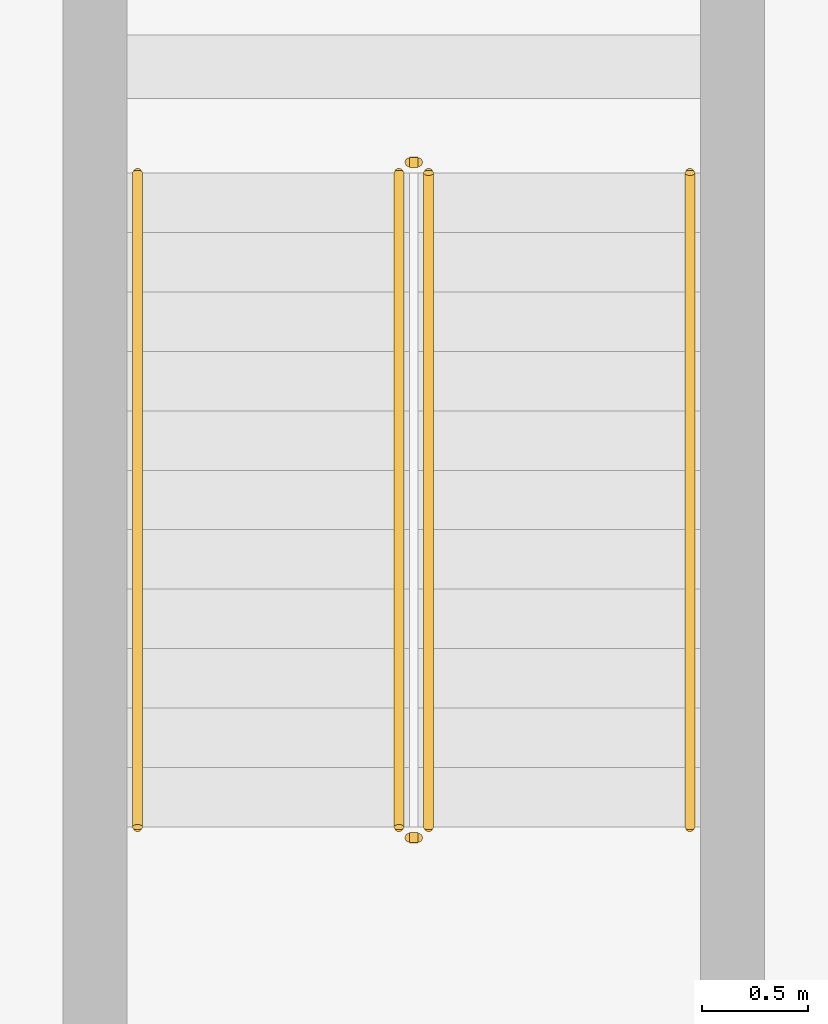
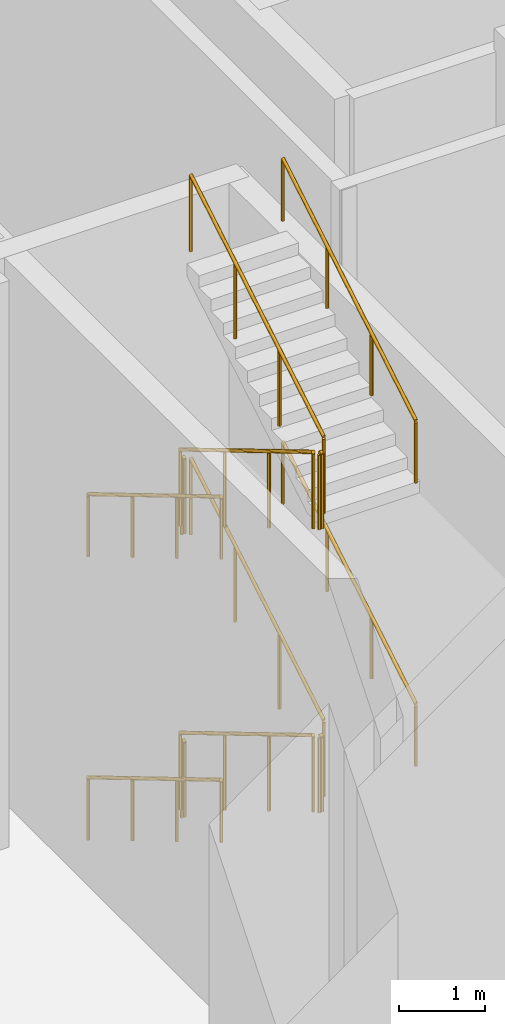
# One storey, part 48 of 54: 12 railings.
"""IFC4 building model written with IfcOpenShell, lengths in metres."""

from ifc_helpers import new_model, si_unit, direction, frame, origin, origin_2d, place, context, subcontext, project, spatial, circle, extrude, material, type_object, element, save


model = new_model("IFC4")

# Units and contexts
model_context = context("Model", 3, precision=1e-05, world=origin(), true_north=direction((0.0, 1.0)))
body_context = subcontext(model_context, "Body", "Model", "MODEL_VIEW")
ifc_project = project(units=[si_unit("LENGTHUNIT", "METRE"), si_unit("AREAUNIT", "SQUARE_METRE"), si_unit("VOLUMEUNIT", "CUBIC_METRE"), si_unit("PLANEANGLEUNIT", "RADIAN"), si_unit("MASSUNIT", "GRAM", prefix="KILO")], contexts=[model_context])

# Site, building, storey
site_placement = place(None, origin())
site = spatial("IfcSite", under=ifc_project, at=site_placement, CompositionType="ELEMENT")
building_placement = place(site_placement, origin())
building = spatial("IfcBuilding", under=site, at=building_placement, Name="Ogive Portal Towers", CompositionType="ELEMENT")
storey_placement = place(building_placement, origin())
storey = spatial("IfcBuildingStorey", under=building, at=storey_placement, Name="L00", CompositionType="ELEMENT", Elevation=0.0)

# Railings
ifc_material_1 = material(Name="Stainless steel balustrade", Category="steel")
railing_type_1 = type_object("IfcRailingType", Name="INT-GUARD", PredefinedType="GUARDRAIL", material=ifc_material_1)
railing_1_placement = place(storey_placement, frame((88.280029296875, 29.169921875, 0.166748046875)))
element("IfcRailing", 1, at=railing_1_placement, inside=storey, type_object=railing_type_1, Name="L00 ST-A4 stair guard 1", PredefinedType="GUARDRAIL", context=body_context, shape_type="SweptSolid", body=[
    extrude(circle(Radius=0.02392578125, at=origin_2d()), frame((0.0, 0.0, 1.076171875), z_axis=(0.0, -0.859290745958, 0.51148745235), x_axis=(1.0, 0.0, 0.0)), (0.0, 0.0, 1.0), 3.584228515625),
    extrude(circle(Radius=0.02099609375, at=origin_2d()), origin(), (0.0, 0.0, 1.0), 1.052001953125),
    extrude(circle(Radius=0.02099609375, at=origin_2d()), frame((0.0, -1.026611328125, 0.611083984375)), (0.0, 0.0, 1.0), 1.052001953125),
    extrude(circle(Radius=0.02099609375, at=origin_2d()), frame((0.0, -2.05322265625, 1.22216796875)), (0.0, 0.0, 1.0), 1.052001953125),
    extrude(circle(Radius=0.02099609375, at=origin_2d()), frame((0.0, -3.079833984375, 1.833251953125)), (0.0, 0.0, 1.0), 1.052001953125),
])
railing_2_placement = place(storey_placement, frame((88.330078125, 26.0400390625, 2.0)))
element("IfcRailing", 2, at=railing_2_placement, inside=storey, type_object=railing_type_1, Name="L00 ST-A4 stair guard 2", PredefinedType="GUARDRAIL", context=body_context, shape_type="SweptSolid", body=[
    extrude(circle(Radius=0.02392578125, at=origin_2d()), frame((0.0, 0.0, 1.076171875), z_axis=(1.0, 0.0, 0.0), x_axis=(0.0, 1.0, 0.0)), (0.0, 0.0, 1.0), 0.0400390625),
    extrude(circle(Radius=0.02099609375, at=origin_2d()), origin(), (0.0, 0.0, 1.0), 1.052001953125),
    extrude(circle(Radius=0.02099609375, at=origin_2d()), frame((0.0400390625, 0.0, 0.0)), (0.0, 0.0, 1.0), 1.052001953125),
])
railing_3_placement = place(storey_placement, frame((88.419921875, 26.090087890625, 2.166748046875)))
element("IfcRailing", 3, at=railing_3_placement, inside=storey, type_object=railing_type_1, Name="L00 ST-A4 stair guard 3", PredefinedType="GUARDRAIL", context=body_context, shape_type="SweptSolid", body=[
    extrude(circle(Radius=0.02392578125, at=origin_2d()), frame((0.0, 0.0, 1.076171875), z_axis=(0.0, 0.859290745958, 0.51148745235), x_axis=(-1.0, 0.0, 0.0)), (0.0, 0.0, 1.0), 3.584228515625),
    extrude(circle(Radius=0.02099609375, at=origin_2d()), origin(), (0.0, 0.0, 1.0), 1.052001953125),
    extrude(circle(Radius=0.02099609375, at=origin_2d()), frame((0.0, 1.026611328125, 0.611083984375)), (0.0, 0.0, 1.0), 1.052001953125),
    extrude(circle(Radius=0.02099609375, at=origin_2d()), frame((0.0, 2.05322265625, 1.22216796875)), (0.0, 0.0, 1.0), 1.052001953125),
    extrude(circle(Radius=0.02099609375, at=origin_2d()), frame((0.0, 3.079833984375, 1.833251953125)), (0.0, 0.0, 1.0), 1.052001953125),
])
railing_4_placement = place(storey_placement, frame((88.330078125, 29.219970703125, 4.0)))
element("IfcRailing", 4, at=railing_4_placement, inside=storey, type_object=railing_type_1, Name="L00 ST-A4 stair guard 4", PredefinedType="GUARDRAIL", context=body_context, shape_type="SweptSolid", body=[
    extrude(circle(Radius=0.02392578125, at=origin_2d()), frame((0.0, 0.0, 1.076171875), z_axis=(1.0, 0.0, 0.0), x_axis=(0.0, 1.0, 0.0)), (0.0, 0.0, 1.0), 0.0400390625),
    extrude(circle(Radius=0.02099609375, at=origin_2d()), origin(), (0.0, 0.0, 1.0), 1.052001953125),
    extrude(circle(Radius=0.02099609375, at=origin_2d()), frame((0.0400390625, 0.0, 0.0)), (0.0, 0.0, 1.0), 1.052001953125),
])
railing_5_placement = place(storey_placement, frame((88.280029296875, 29.169921875, 4.166748046875)))
element("IfcRailing", 5, at=railing_5_placement, inside=storey, type_object=railing_type_1, Name="L00 ST-A4 stair guard 5", PredefinedType="GUARDRAIL", context=body_context, shape_type="SweptSolid", body=[
    extrude(circle(Radius=0.02392578125, at=origin_2d()), frame((0.0, 0.0, 1.076171875), z_axis=(0.0, -0.859290745958, 0.51148745235), x_axis=(1.0, 0.0, 0.0)), (0.0, 0.0, 1.0), 3.584228515625),
    extrude(circle(Radius=0.02099609375, at=origin_2d()), origin(), (0.0, 0.0, 1.0), 1.052001953125),
    extrude(circle(Radius=0.02099609375, at=origin_2d()), frame((0.0, -1.026611328125, 0.611083984375)), (0.0, 0.0, 1.0), 1.052001953125),
    extrude(circle(Radius=0.02099609375, at=origin_2d()), frame((0.0, -2.05322265625, 1.22216796875)), (0.0, 0.0, 1.0), 1.052001953125),
    extrude(circle(Radius=0.02099609375, at=origin_2d()), frame((0.0, -3.079833984375, 1.833251953125)), (0.0, 0.0, 1.0), 1.052001953125),
])
railing_6_placement = place(storey_placement, frame((88.330078125, 26.0400390625, 6.0)))
element("IfcRailing", 6, at=railing_6_placement, inside=storey, type_object=railing_type_1, Name="L00 ST-A4 stair guard 6", PredefinedType="GUARDRAIL", context=body_context, shape_type="SweptSolid", body=[
    extrude(circle(Radius=0.02392578125, at=origin_2d()), frame((0.0, 0.0, 1.076171875), z_axis=(1.0, 0.0, 0.0), x_axis=(0.0, 1.0, 0.0)), (0.0, 0.0, 1.0), 0.0400390625),
    extrude(circle(Radius=0.02099609375, at=origin_2d()), origin(), (0.0, 0.0, 1.0), 1.052001953125),
    extrude(circle(Radius=0.02099609375, at=origin_2d()), frame((0.0400390625, 0.0, 0.0)), (0.0, 0.0, 1.0), 1.052001953125),
])
railing_7_placement = place(storey_placement, frame((88.419921875, 26.090087890625, 6.166748046875)))
element("IfcRailing", 7, at=railing_7_placement, inside=storey, type_object=railing_type_1, Name="L00 ST-A4 stair guard 7", PredefinedType="GUARDRAIL", context=body_context, shape_type="SweptSolid", body=[
    extrude(circle(Radius=0.02392578125, at=origin_2d()), frame((0.0, 0.0, 1.076171875), z_axis=(0.0, 0.859290745958, 0.51148745235), x_axis=(-1.0, 0.0, 0.0)), (0.0, 0.0, 1.0), 3.584228515625),
    extrude(circle(Radius=0.02099609375, at=origin_2d()), origin(), (0.0, 0.0, 1.0), 1.052001953125),
    extrude(circle(Radius=0.02099609375, at=origin_2d()), frame((0.0, 1.026611328125, 0.611083984375)), (0.0, 0.0, 1.0), 1.052001953125),
    extrude(circle(Radius=0.02099609375, at=origin_2d()), frame((0.0, 2.05322265625, 1.22216796875)), (0.0, 0.0, 1.0), 1.052001953125),
    extrude(circle(Radius=0.02099609375, at=origin_2d()), frame((0.0, 3.079833984375, 1.833251953125)), (0.0, 0.0, 1.0), 1.052001953125),
])
railing_8_placement = place(storey_placement, frame((88.330078125, 29.219970703125, 0.0)))
element("IfcRailing", 8, at=railing_8_placement, inside=storey, type_object=railing_type_1, Name="L00 ST-A4 stair guard 8", PredefinedType="GUARDRAIL", context=body_context, shape_type="SweptSolid", body=[
    extrude(circle(Radius=0.02392578125, at=origin_2d()), frame((0.0, 0.0, 1.076171875), z_axis=(1.0, 0.0, 0.0), x_axis=(0.0, 1.0, 0.0)), (0.0, 0.0, 1.0), 0.0400390625),
    extrude(circle(Radius=0.02099609375, at=origin_2d()), origin(), (0.0, 0.0, 1.0), 1.052001953125),
    extrude(circle(Radius=0.02099609375, at=origin_2d()), frame((0.0400390625, 0.0, 0.0)), (0.0, 0.0, 1.0), 1.052001953125),
])
ifc_material_2 = material(Name="Stainless steel handrail", Category="steel")
railing_type_2 = type_object("IfcRailingType", Name="INT-HANDRAIL", PredefinedType="HANDRAIL", material=ifc_material_2)
railing_9_placement = place(storey_placement, frame((87.050048828125, 29.169921875, 0.166748046875)))
element("IfcRailing", 9, at=railing_9_placement, inside=storey, type_object=railing_type_2, Name="L00 ST-A4 stair handrail 1", PredefinedType="HANDRAIL", context=body_context, shape_type="SweptSolid", body=[
    extrude(circle(Radius=0.02392578125, at=origin_2d()), frame((0.0, 0.0, 0.8759765625), z_axis=(0.0, -0.859290745958, 0.51148745235), x_axis=(1.0, 0.0, 0.0)), (0.0, 0.0, 1.0), 3.584228515625),
    extrude(circle(Radius=0.02099609375, at=origin_2d()), origin(), (0.0, 0.0, 1.0), 0.851806640625),
    extrude(circle(Radius=0.02099609375, at=origin_2d()), frame((0.0, -1.026611328125, 0.611083984375)), (0.0, 0.0, 1.0), 0.851806640625),
    extrude(circle(Radius=0.02099609375, at=origin_2d()), frame((0.0, -2.05322265625, 1.22216796875)), (0.0, 0.0, 1.0), 0.851806640625),
    extrude(circle(Radius=0.02099609375, at=origin_2d()), frame((0.0, -3.079833984375, 1.833251953125)), (0.0, 0.0, 1.0), 0.851806640625),
])
railing_10_placement = place(storey_placement, frame((89.64990234375, 26.090087890625, 2.166748046875)))
element("IfcRailing", 10, at=railing_10_placement, inside=storey, type_object=railing_type_2, Name="L00 ST-A4 stair handrail 2", PredefinedType="HANDRAIL", context=body_context, shape_type="SweptSolid", body=[
    extrude(circle(Radius=0.02392578125, at=origin_2d()), frame((0.0, 0.0, 0.8759765625), z_axis=(0.0, 0.859290745958, 0.51148745235), x_axis=(-1.0, 0.0, 0.0)), (0.0, 0.0, 1.0), 3.584228515625),
    extrude(circle(Radius=0.02099609375, at=origin_2d()), origin(), (0.0, 0.0, 1.0), 0.851806640625),
    extrude(circle(Radius=0.02099609375, at=origin_2d()), frame((0.0, 1.026611328125, 0.611083984375)), (0.0, 0.0, 1.0), 0.851806640625),
    extrude(circle(Radius=0.02099609375, at=origin_2d()), frame((0.0, 2.05322265625, 1.22216796875)), (0.0, 0.0, 1.0), 0.851806640625),
    extrude(circle(Radius=0.02099609375, at=origin_2d()), frame((0.0, 3.079833984375, 1.833251953125)), (0.0, 0.0, 1.0), 0.851806640625),
])
railing_11_placement = place(storey_placement, frame((87.050048828125, 29.169921875, 4.166748046875)))
element("IfcRailing", 11, at=railing_11_placement, inside=storey, type_object=railing_type_2, Name="L00 ST-A4 stair handrail 3", PredefinedType="HANDRAIL", context=body_context, shape_type="SweptSolid", body=[
    extrude(circle(Radius=0.02392578125, at=origin_2d()), frame((0.0, 0.0, 0.8759765625), z_axis=(0.0, -0.859290745958, 0.51148745235), x_axis=(1.0, 0.0, 0.0)), (0.0, 0.0, 1.0), 3.584228515625),
    extrude(circle(Radius=0.02099609375, at=origin_2d()), origin(), (0.0, 0.0, 1.0), 0.851806640625),
    extrude(circle(Radius=0.02099609375, at=origin_2d()), frame((0.0, -1.026611328125, 0.611083984375)), (0.0, 0.0, 1.0), 0.851806640625),
    extrude(circle(Radius=0.02099609375, at=origin_2d()), frame((0.0, -2.05322265625, 1.22216796875)), (0.0, 0.0, 1.0), 0.851806640625),
    extrude(circle(Radius=0.02099609375, at=origin_2d()), frame((0.0, -3.079833984375, 1.833251953125)), (0.0, 0.0, 1.0), 0.851806640625),
])
railing_12_placement = place(storey_placement, frame((89.64990234375, 26.090087890625, 6.166748046875)))
element("IfcRailing", 12, at=railing_12_placement, inside=storey, type_object=railing_type_2, Name="L00 ST-A4 stair handrail 4", PredefinedType="HANDRAIL", context=body_context, shape_type="SweptSolid", body=[
    extrude(circle(Radius=0.02392578125, at=origin_2d()), frame((0.0, 0.0, 0.8759765625), z_axis=(0.0, 0.859290745958, 0.51148745235), x_axis=(-1.0, 0.0, 0.0)), (0.0, 0.0, 1.0), 3.584228515625),
    extrude(circle(Radius=0.02099609375, at=origin_2d()), origin(), (0.0, 0.0, 1.0), 0.851806640625),
    extrude(circle(Radius=0.02099609375, at=origin_2d()), frame((0.0, 1.026611328125, 0.611083984375)), (0.0, 0.0, 1.0), 0.851806640625),
    extrude(circle(Radius=0.02099609375, at=origin_2d()), frame((0.0, 2.05322265625, 1.22216796875)), (0.0, 0.0, 1.0), 0.851806640625),
    extrude(circle(Radius=0.02099609375, at=origin_2d()), frame((0.0, 3.079833984375, 1.833251953125)), (0.0, 0.0, 1.0), 0.851806640625),
])

save(model, "model.ifc")
